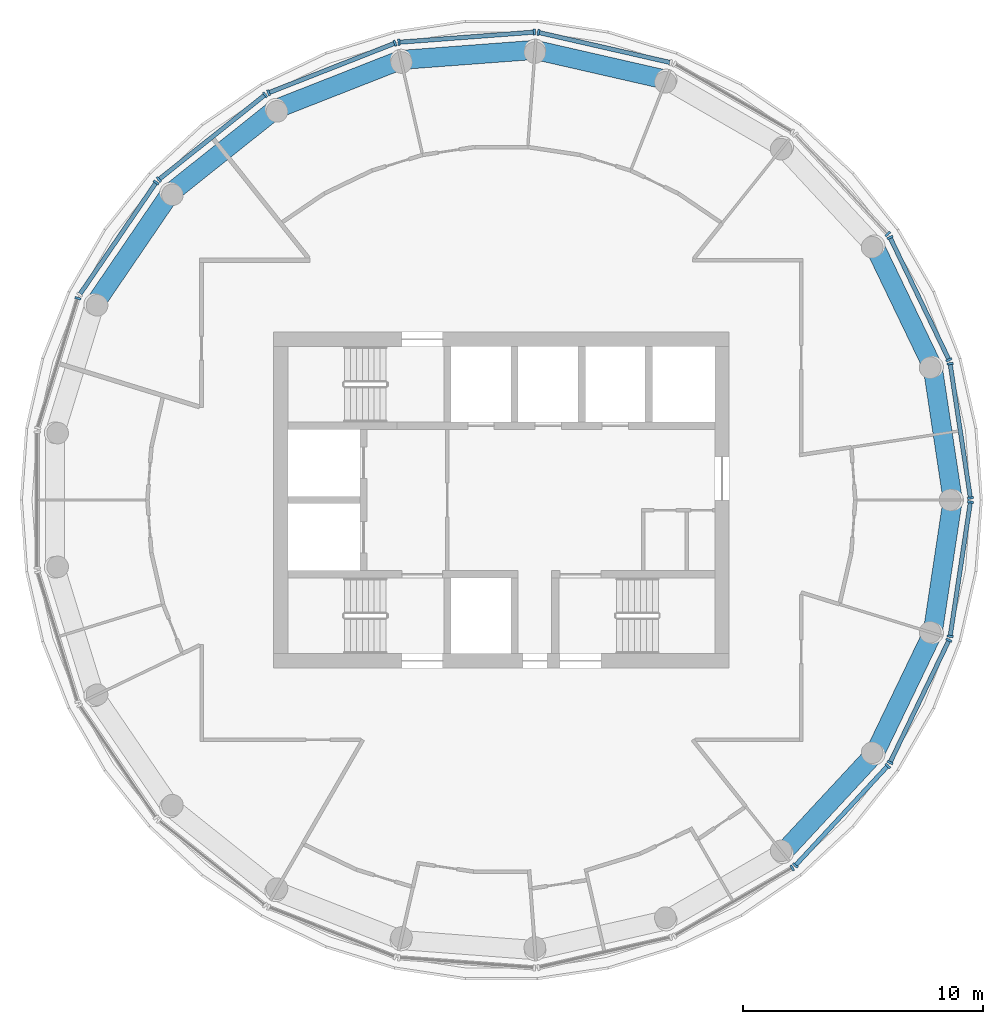
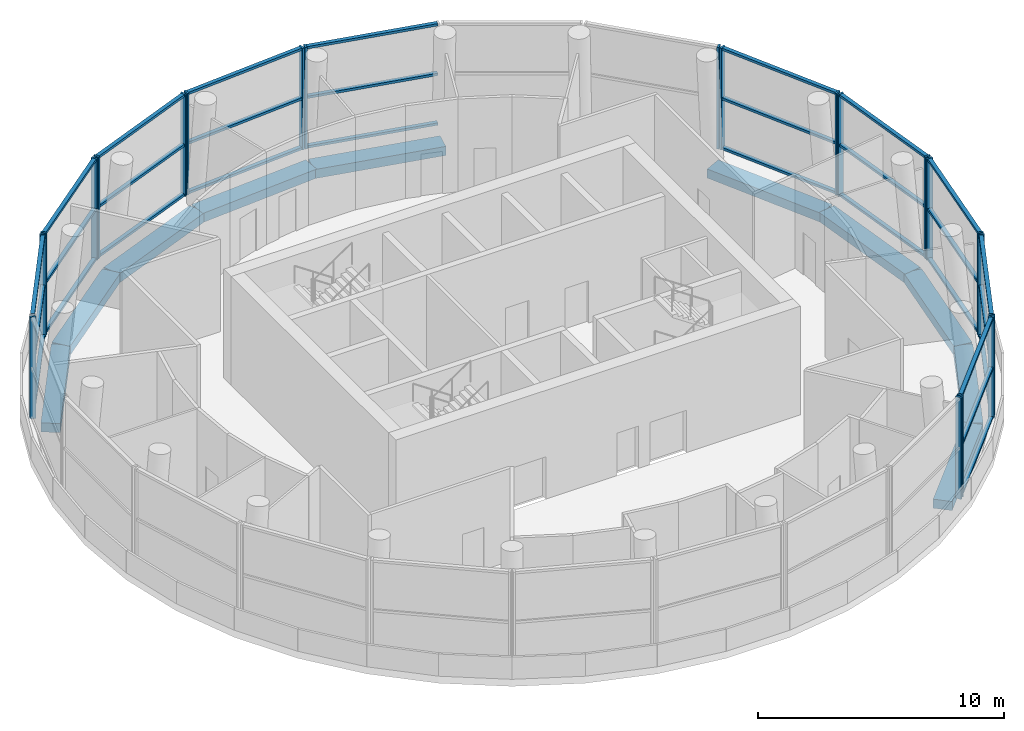
# One storey, part 2 of 11: 51 members, 10 beams, 13 elements without a shape of their own.
"""IFC4 building model written with IfcOpenShell, lengths in metres."""

from ifc_helpers import new_model, si_unit, direction, frame, origin, origin_2d, place, context, subcontext, project, spatial, rectangle, extrude, material, material_profile, profile_set, type_object, element, aggregate, save


model = new_model("IFC4")

# Units and contexts
model_context = context("Model", 3, precision=1e-05, world=origin(), true_north=direction((0.0, 1.0)))
body_context = subcontext(model_context, "Body", "Model", "MODEL_VIEW")
ifc_project = project(units=[si_unit("LENGTHUNIT", "METRE"), si_unit("AREAUNIT", "SQUARE_METRE"), si_unit("VOLUMEUNIT", "CUBIC_METRE"), si_unit("PLANEANGLEUNIT", "RADIAN"), si_unit("MASSUNIT", "GRAM", prefix="KILO")], contexts=[model_context])

# Site, building, storey
site_placement = place(None, origin())
site = spatial("IfcSite", under=ifc_project, at=site_placement, CompositionType="ELEMENT")
building_placement = place(site_placement, origin())
building = spatial("IfcBuilding", under=site, at=building_placement, Name="Tracery Tower", CompositionType="ELEMENT")
storey_placement = place(building_placement, frame((0.0, 0.0, 330.60009765625)))
storey = spatial("IfcBuildingStorey", under=building, at=storey_placement, Name="L86", CompositionType="ELEMENT", Elevation=330.60009765625)

# Curtain wall, members
ifc_material_1 = material(Name="Aluminium curtain wall with tinted glass", Category="aluminium")
curtain_wall_type = type_object("IfcCurtainWallType", Name="Glazed crown lower curtain wall", PredefinedType="NOTDEFINED", material=ifc_material_1)
curtain_wall_1_placement = place(storey_placement, origin())
curtain_wall_1 = element("IfcCurtainWall", 1, at=curtain_wall_1_placement, inside=storey, type_object=curtain_wall_type, Name="Glazed crown lower run 00", PredefinedType="NOTDEFINED")
ifc_material_2 = material(Name="Aluminium, bronze anodised", Category="aluminium")
ifc_material_profile_1 = material_profile(ifc_material_2, rectangle(XDim=0.260009765625, YDim=0.090087890625, at=origin_2d()), Name="Glazed crown lower mullion 90 x 260")
ifc_profile_set_1 = profile_set([ifc_material_profile_1], Name="Aluminium, bronze anodised")
member_type_1 = type_object("IfcMemberType", Name="Glazed crown lower mullion 90 x 260", PredefinedType="MULLION", material=ifc_profile_set_1)
member_1_placement = place(storey_placement, frame((19.5595703125, 0.083984375, 0.0), z_axis=(0.0, 0.0, 1.0), x_axis=(-0.988831195935, -0.14903981329, 0.0)))
member_1 = element("IfcMember", 2, at=member_1_placement, type_object=member_type_1, Name="CWB2 mullion 1", PredefinedType="MULLION", context=body_context, shape_type="SweptSolid", body=[
    extrude(rectangle(XDim=0.260009765625, YDim=0.090087890625, at=origin_2d()), origin(), (0.0, 0.0, 1.0), 5.0498046875),
])
member_2_placement = place(storey_placement, frame((18.71533203125, 5.68505859375, 0.0), z_axis=(0.0, 0.0, 1.0), x_axis=(-0.988831195935, -0.14903981329, 0.0)))
member_2 = element("IfcMember", 3, at=member_2_placement, type_object=member_type_1, Name="CWB2 mullion 2", PredefinedType="MULLION", context=body_context, shape_type="SweptSolid", body=[
    extrude(rectangle(XDim=0.260009765625, YDim=0.090087890625, at=origin_2d()), origin(), (0.0, 0.0, 1.0), 5.0498046875),
])

curtain_wall_2_placement = place(storey_placement, origin())
curtain_wall_2 = element("IfcCurtainWall", 4, at=curtain_wall_2_placement, inside=storey, type_object=curtain_wall_type, Name="Glazed crown lower run 01", PredefinedType="NOTDEFINED")
member_3_placement = place(storey_placement, frame((18.665771484375, 5.845458984375, 0.0), z_axis=(0.0, 0.0, 1.0), x_axis=(-0.900973993833, -0.433873094853, 0.0)))
member_3 = element("IfcMember", 5, at=member_3_placement, type_object=member_type_1, Name="CWB2 mullion 1", PredefinedType="MULLION", context=body_context, shape_type="SweptSolid", body=[
    extrude(rectangle(XDim=0.260009765625, YDim=0.090087890625, at=origin_2d()), origin(), (0.0, 0.0, 1.0), 5.0498046875),
])
member_4_placement = place(storey_placement, frame((16.208251953125, 10.948974609375, 0.0), z_axis=(0.0, 0.0, 1.0), x_axis=(-0.900973993833, -0.433873094853, 0.0)))
member_4 = element("IfcMember", 6, at=member_4_placement, type_object=member_type_1, Name="CWB2 mullion 2", PredefinedType="MULLION", context=body_context, shape_type="SweptSolid", body=[
    extrude(rectangle(XDim=0.260009765625, YDim=0.090087890625, at=origin_2d()), origin(), (0.0, 0.0, 1.0), 5.0498046875),
])

# Curtain wall, member
curtain_wall_3_placement = place(storey_placement, origin())
curtain_wall_3 = element("IfcCurtainWall", 7, at=curtain_wall_3_placement, inside=storey, type_object=curtain_wall_type, Name="Glazed crown lower run 02", PredefinedType="NOTDEFINED")
member_5_placement = place(storey_placement, frame((16.113525390625, 11.087646484375, 0.0), z_axis=(0.0, 0.0, 1.0), x_axis=(-0.733054024264, -0.680170417991, 0.0)))
member_5 = element("IfcMember", 8, at=member_5_placement, type_object=member_type_1, Name="CWB2 mullion 1", PredefinedType="MULLION", context=body_context, shape_type="SweptSolid", body=[
    extrude(rectangle(XDim=0.260009765625, YDim=0.090087890625, at=origin_2d()), origin(), (0.0, 0.0, 1.0), 5.0498046875),
])
aggregate(curtain_wall_3, [member_5])

curtain_wall_4_placement = place(storey_placement, origin())
curtain_wall_4 = element("IfcCurtainWall", 9, at=curtain_wall_4_placement, inside=storey, type_object=curtain_wall_type, Name="Glazed crown lower run 04", PredefinedType="NOTDEFINED")
member_6_placement = place(storey_placement, frame((1.54541015625, 19.49853515625, 0.0), z_axis=(0.0, 0.0, 1.0), x_axis=(-0.22253364184, -0.974925011603, 0.0)))
member_6 = element("IfcMember", 10, at=member_6_placement, type_object=member_type_1, Name="CWB2 mullion 2", PredefinedType="MULLION", context=body_context, shape_type="SweptSolid", body=[
    extrude(rectangle(XDim=0.260009765625, YDim=0.090087890625, at=origin_2d()), origin(), (0.0, 0.0, 1.0), 5.0498046875),
])

# Curtain wall, members
curtain_wall_5_placement = place(storey_placement, origin())
curtain_wall_5 = element("IfcCurtainWall", 11, at=curtain_wall_5_placement, inside=storey, type_object=curtain_wall_type, Name="Glazed crown lower run 05", PredefinedType="NOTDEFINED")
member_7_placement = place(storey_placement, frame((1.3779296875, 19.51123046875, 0.0), z_axis=(0.0, 0.0, 1.0), x_axis=(0.074729462035, -0.997203844509, 0.0)))
member_7 = element("IfcMember", 12, at=member_7_placement, type_object=member_type_1, Name="CWB2 mullion 1", PredefinedType="MULLION", context=body_context, shape_type="SweptSolid", body=[
    extrude(rectangle(XDim=0.260009765625, YDim=0.090087890625, at=origin_2d()), origin(), (0.0, 0.0, 1.0), 5.0498046875),
])
member_8_placement = place(storey_placement, frame((-4.2705078125, 19.087890625, 0.0), z_axis=(0.0, 0.0, 1.0), x_axis=(0.074729462035, -0.997203844509, 0.0)))
member_8 = element("IfcMember", 13, at=member_8_placement, type_object=member_type_1, Name="CWB2 mullion 2", PredefinedType="MULLION", context=body_context, shape_type="SweptSolid", body=[
    extrude(rectangle(XDim=0.260009765625, YDim=0.090087890625, at=origin_2d()), origin(), (0.0, 0.0, 1.0), 5.0498046875),
])

curtain_wall_6_placement = place(storey_placement, origin())
curtain_wall_6 = element("IfcCurtainWall", 14, at=curtain_wall_6_placement, inside=storey, type_object=curtain_wall_type, Name="Glazed crown lower run 06", PredefinedType="NOTDEFINED")
member_9_placement = place(storey_placement, frame((-4.434326171875, 19.050537109375, 0.0), z_axis=(0.0, 0.0, 1.0), x_axis=(0.365351251459, -0.930869734741, 0.0)))
member_9 = element("IfcMember", 15, at=member_9_placement, type_object=member_type_1, Name="CWB2 mullion 1", PredefinedType="MULLION", context=body_context, shape_type="SweptSolid", body=[
    extrude(rectangle(XDim=0.260009765625, YDim=0.090087890625, at=origin_2d()), origin(), (0.0, 0.0, 1.0), 5.0498046875),
])
member_10_placement = place(storey_placement, frame((-9.70703125, 16.98095703125, 0.0), z_axis=(0.0, 0.0, 1.0), x_axis=(0.365351251459, -0.930869734741, 0.0)))
member_10 = element("IfcMember", 16, at=member_10_placement, type_object=member_type_1, Name="CWB2 mullion 2", PredefinedType="MULLION", context=body_context, shape_type="SweptSolid", body=[
    extrude(rectangle(XDim=0.260009765625, YDim=0.090087890625, at=origin_2d()), origin(), (0.0, 0.0, 1.0), 5.0498046875),
])

curtain_wall_7_placement = place(storey_placement, origin())
curtain_wall_7 = element("IfcCurtainWall", 17, at=curtain_wall_7_placement, inside=storey, type_object=curtain_wall_type, Name="Glazed crown lower run 07", PredefinedType="NOTDEFINED")
member_11_placement = place(storey_placement, frame((-9.8525390625, 16.89697265625, 0.0), z_axis=(0.0, 0.0, 1.0), x_axis=(0.623492640079, -0.781829219055, 0.0)))
member_11 = element("IfcMember", 18, at=member_11_placement, type_object=member_type_1, Name="CWB2 mullion 1", PredefinedType="MULLION", context=body_context, shape_type="SweptSolid", body=[
    extrude(rectangle(XDim=0.260009765625, YDim=0.090087890625, at=origin_2d()), origin(), (0.0, 0.0, 1.0), 5.0498046875),
])
member_12_placement = place(storey_placement, frame((-14.281005859375, 13.365478515625, 0.0), z_axis=(0.0, 0.0, 1.0), x_axis=(0.623492640079, -0.781829219055, 0.0)))
member_12 = element("IfcMember", 19, at=member_12_placement, type_object=member_type_1, Name="CWB2 mullion 2", PredefinedType="MULLION", context=body_context, shape_type="SweptSolid", body=[
    extrude(rectangle(XDim=0.260009765625, YDim=0.090087890625, at=origin_2d()), origin(), (0.0, 0.0, 1.0), 5.0498046875),
])

# Curtain wall, member
curtain_wall_8_placement = place(storey_placement, origin())
curtain_wall_8 = element("IfcCurtainWall", 20, at=curtain_wall_8_placement, inside=storey, type_object=curtain_wall_type, Name="Glazed crown lower run 08", PredefinedType="NOTDEFINED")
member_13_placement = place(storey_placement, frame((-14.395263671875, 13.2421875, 0.0), z_axis=(0.0, 0.0, 1.0), x_axis=(0.826240946572, -0.563316871936, 0.0)))
member_13 = element("IfcMember", 21, at=member_13_placement, type_object=member_type_1, Name="CWB2 mullion 1", PredefinedType="MULLION", context=body_context, shape_type="SweptSolid", body=[
    extrude(rectangle(XDim=0.260009765625, YDim=0.090087890625, at=origin_2d()), origin(), (0.0, 0.0, 1.0), 5.0498046875),
])

curtain_wall_9_placement = place(storey_placement, origin())
curtain_wall_9 = element("IfcCurtainWall", 22, at=curtain_wall_9_placement, inside=storey, type_object=curtain_wall_type, Name="Glazed crown lower run 09", PredefinedType="NOTDEFINED")
member_14_placement = place(storey_placement, frame((-17.658935546875, 8.410888671875, 0.0), z_axis=(0.0, 0.0, 1.0), x_axis=(0.955570976561, -0.294761104549, 0.0)))
member_14 = element("IfcMember", 23, at=member_14_placement, type_object=member_type_1, Name="CWB2 mullion 1", PredefinedType="MULLION", context=body_context, shape_type="SweptSolid", body=[
    extrude(rectangle(XDim=0.260009765625, YDim=0.090087890625, at=origin_2d()), origin(), (0.0, 0.0, 1.0), 5.0498046875),
])
aggregate(curtain_wall_9, [member_14])

curtain_wall_10_placement = place(storey_placement, origin())
curtain_wall_10 = element("IfcCurtainWall", 24, at=curtain_wall_10_placement, inside=storey, type_object=curtain_wall_type, Name="Glazed crown lower run 17", PredefinedType="NOTDEFINED")
member_15_placement = place(storey_placement, frame((12.12939453125, -15.3447265625, 0.0), z_axis=(0.0, 0.0, 1.0), x_axis=(-0.499993240242, 0.866029306498, 0.0)))
member_15 = element("IfcMember", 25, at=member_15_placement, type_object=member_type_1, Name="CWB2 mullion 2", PredefinedType="MULLION", context=body_context, shape_type="SweptSolid", body=[
    extrude(rectangle(XDim=0.260009765625, YDim=0.090087890625, at=origin_2d()), origin(), (0.0, 0.0, 1.0), 5.0498046875),
])
aggregate(curtain_wall_10, [member_15])

# Curtain wall, members
curtain_wall_11_placement = place(storey_placement, origin())
curtain_wall_11 = element("IfcCurtainWall", 26, at=curtain_wall_11_placement, inside=storey, type_object=curtain_wall_type, Name="Glazed crown lower run 18", PredefinedType="NOTDEFINED")
member_16_placement = place(storey_placement, frame((12.260986328125, -15.23974609375, 0.0), z_axis=(0.0, 0.0, 1.0), x_axis=(-0.733054024264, 0.680170417991, 0.0)))
member_16 = element("IfcMember", 27, at=member_16_placement, type_object=member_type_1, Name="CWB2 mullion 1", PredefinedType="MULLION", context=body_context, shape_type="SweptSolid", body=[
    extrude(rectangle(XDim=0.260009765625, YDim=0.090087890625, at=origin_2d()), origin(), (0.0, 0.0, 1.0), 5.0498046875),
])
member_17_placement = place(storey_placement, frame((16.113525390625, -11.087646484375, 0.0), z_axis=(0.0, 0.0, 1.0), x_axis=(-0.733054024264, 0.680170417991, 0.0)))
member_17 = element("IfcMember", 28, at=member_17_placement, type_object=member_type_1, Name="CWB2 mullion 2", PredefinedType="MULLION", context=body_context, shape_type="SweptSolid", body=[
    extrude(rectangle(XDim=0.260009765625, YDim=0.090087890625, at=origin_2d()), origin(), (0.0, 0.0, 1.0), 5.0498046875),
])

curtain_wall_12_placement = place(storey_placement, origin())
curtain_wall_12 = element("IfcCurtainWall", 29, at=curtain_wall_12_placement, inside=storey, type_object=curtain_wall_type, Name="Glazed crown lower run 19", PredefinedType="NOTDEFINED")
member_18_placement = place(storey_placement, frame((16.208251953125, -10.948974609375, 0.0), z_axis=(0.0, 0.0, 1.0), x_axis=(-0.900973993833, 0.433873094853, 0.0)))
member_18 = element("IfcMember", 30, at=member_18_placement, type_object=member_type_1, Name="CWB2 mullion 1", PredefinedType="MULLION", context=body_context, shape_type="SweptSolid", body=[
    extrude(rectangle(XDim=0.260009765625, YDim=0.090087890625, at=origin_2d()), origin(), (0.0, 0.0, 1.0), 5.0498046875),
])
member_19_placement = place(storey_placement, frame((18.665771484375, -5.845458984375, 0.0), z_axis=(0.0, 0.0, 1.0), x_axis=(-0.900973993833, 0.433873094853, 0.0)))
member_19 = element("IfcMember", 31, at=member_19_placement, type_object=member_type_1, Name="CWB2 mullion 2", PredefinedType="MULLION", context=body_context, shape_type="SweptSolid", body=[
    extrude(rectangle(XDim=0.260009765625, YDim=0.090087890625, at=origin_2d()), origin(), (0.0, 0.0, 1.0), 5.0498046875),
])

curtain_wall_13_placement = place(storey_placement, origin())
curtain_wall_13 = element("IfcCurtainWall", 32, at=curtain_wall_13_placement, inside=storey, type_object=curtain_wall_type, Name="Glazed crown lower run 20", PredefinedType="NOTDEFINED")
member_20_placement = place(storey_placement, frame((18.71533203125, -5.68505859375, 0.0), z_axis=(0.0, 0.0, 1.0), x_axis=(-0.988831195935, 0.14903981329, 0.0)))
member_20 = element("IfcMember", 33, at=member_20_placement, type_object=member_type_1, Name="CWB2 mullion 1", PredefinedType="MULLION", context=body_context, shape_type="SweptSolid", body=[
    extrude(rectangle(XDim=0.260009765625, YDim=0.090087890625, at=origin_2d()), origin(), (0.0, 0.0, 1.0), 5.0498046875),
])
member_21_placement = place(storey_placement, frame((19.5595703125, -0.083984375, 0.0), z_axis=(0.0, 0.0, 1.0), x_axis=(-0.988831195935, 0.14903981329, 0.0)))
member_21 = element("IfcMember", 34, at=member_21_placement, type_object=member_type_1, Name="CWB2 mullion 2", PredefinedType="MULLION", context=body_context, shape_type="SweptSolid", body=[
    extrude(rectangle(XDim=0.260009765625, YDim=0.090087890625, at=origin_2d()), origin(), (0.0, 0.0, 1.0), 5.0498046875),
])

# Member
ifc_material_3 = material(Name="Aluminium, bronze anodised", Category="aluminium")
ifc_material_profile_2 = material_profile(ifc_material_3, rectangle(XDim=0.179931640625, YDim=0.1201171875, at=origin_2d()), Name="Glazed crown lower transom 120 x 180")
ifc_profile_set_2 = profile_set([ifc_material_profile_2], Name="Aluminium, bronze anodised")
member_type_2 = type_object("IfcMemberType", Name="Glazed crown lower transom 120 x 180", PredefinedType="USERDEFINED", material=ifc_profile_set_2)
member_22_placement = place(storey_placement, frame((19.552734375, 0.128662109375, 0.059814453125), z_axis=(-0.149045040468, 0.988830408064, 0.0), x_axis=(-0.988830408064, -0.149045040468, 0.0)))
member_22 = element("IfcMember", 35, at=member_22_placement, type_object=member_type_2, Name="CWB2 transom 1.1", ObjectType="TRANSOM", PredefinedType="USERDEFINED", context=body_context, shape_type="SweptSolid", body=[
    extrude(rectangle(XDim=0.179931640625, YDim=0.1201171875, at=origin_2d()), origin(), (0.0, 0.0, 1.0), 5.57421875),
])

member_23_placement = place(storey_placement, frame((19.552734375, 0.128662109375, 2.52490234375), z_axis=(-0.149045040468, 0.988830408064, 0.0), x_axis=(-0.988830408064, -0.149045040468, 0.0)))
member_23 = element("IfcMember", 36, at=member_23_placement, type_object=member_type_2, Name="CWB2 transom 1.2", ObjectType="TRANSOM", PredefinedType="USERDEFINED", context=body_context, shape_type="SweptSolid", body=[
    extrude(rectangle(XDim=0.179931640625, YDim=0.1201171875, at=origin_2d()), origin(), (0.0, 0.0, 1.0), 5.57421875),
])

member_24_placement = place(storey_placement, frame((19.552734375, 0.128662109375, 4.989990234375), z_axis=(-0.149045040468, 0.988830408064, 0.0), x_axis=(-0.988830408064, -0.149045040468, 0.0)))
member_24 = element("IfcMember", 37, at=member_24_placement, type_object=member_type_2, Name="CWB2 transom 1.3", ObjectType="TRANSOM", PredefinedType="USERDEFINED", context=body_context, shape_type="SweptSolid", body=[
    extrude(rectangle(XDim=0.179931640625, YDim=0.1201171875, at=origin_2d()), origin(), (0.0, 0.0, 1.0), 5.57421875),
])

aggregate(curtain_wall_1, [member_1, member_2, member_22, member_23, member_24])

member_25_placement = place(storey_placement, frame((18.646240234375, 5.885986328125, 0.059814453125), z_axis=(-0.433866976329, 0.900976940244, 0.0), x_axis=(-0.900976940244, -0.433866976329, 0.0)))
member_25 = element("IfcMember", 38, at=member_25_placement, type_object=member_type_2, Name="CWB2 transom 1.1", ObjectType="TRANSOM", PredefinedType="USERDEFINED", context=body_context, shape_type="SweptSolid", body=[
    extrude(rectangle(XDim=0.179931640625, YDim=0.1201171875, at=origin_2d()), origin(), (0.0, 0.0, 1.0), 5.57421875),
])

member_26_placement = place(storey_placement, frame((18.646240234375, 5.885986328125, 2.52490234375), z_axis=(-0.433866976329, 0.900976940244, 0.0), x_axis=(-0.900976940244, -0.433866976329, 0.0)))
member_26 = element("IfcMember", 39, at=member_26_placement, type_object=member_type_2, Name="CWB2 transom 1.2", ObjectType="TRANSOM", PredefinedType="USERDEFINED", context=body_context, shape_type="SweptSolid", body=[
    extrude(rectangle(XDim=0.179931640625, YDim=0.1201171875, at=origin_2d()), origin(), (0.0, 0.0, 1.0), 5.57421875),
])

member_27_placement = place(storey_placement, frame((18.646240234375, 5.885986328125, 4.989990234375), z_axis=(-0.433866976329, 0.900976940244, 0.0), x_axis=(-0.900976940244, -0.433866976329, 0.0)))
member_27 = element("IfcMember", 40, at=member_27_placement, type_object=member_type_2, Name="CWB2 transom 1.3", ObjectType="TRANSOM", PredefinedType="USERDEFINED", context=body_context, shape_type="SweptSolid", body=[
    extrude(rectangle(XDim=0.179931640625, YDim=0.1201171875, at=origin_2d()), origin(), (0.0, 0.0, 1.0), 5.57421875),
])

aggregate(curtain_wall_2, [member_3, member_4, member_25, member_26, member_27])

member_28_placement = place(storey_placement, frame((7.023681640625, 18.248046875, 0.059814453125), z_axis=(-0.974922890174, 0.222542935665, 0.0), x_axis=(-0.222542935665, -0.974922890174, 0.0)))
member_28 = element("IfcMember", 41, at=member_28_placement, type_object=member_type_2, Name="CWB2 transom 1.1", ObjectType="TRANSOM", PredefinedType="USERDEFINED", context=body_context, shape_type="SweptSolid", body=[
    extrude(rectangle(XDim=0.179931640625, YDim=0.1201171875, at=origin_2d()), origin(), (0.0, 0.0, 1.0), 5.57421875),
])

member_29_placement = place(storey_placement, frame((7.023681640625, 18.248046875, 2.52490234375), z_axis=(-0.974922890174, 0.222542935665, 0.0), x_axis=(-0.222542935665, -0.974922890174, 0.0)))
member_29 = element("IfcMember", 42, at=member_29_placement, type_object=member_type_2, Name="CWB2 transom 1.2", ObjectType="TRANSOM", PredefinedType="USERDEFINED", context=body_context, shape_type="SweptSolid", body=[
    extrude(rectangle(XDim=0.179931640625, YDim=0.1201171875, at=origin_2d()), origin(), (0.0, 0.0, 1.0), 5.57421875),
])

member_30_placement = place(storey_placement, frame((7.023681640625, 18.248046875, 4.989990234375), z_axis=(-0.974922890174, 0.222542935665, 0.0), x_axis=(-0.222542935665, -0.974922890174, 0.0)))
member_30 = element("IfcMember", 43, at=member_30_placement, type_object=member_type_2, Name="CWB2 transom 1.3", ObjectType="TRANSOM", PredefinedType="USERDEFINED", context=body_context, shape_type="SweptSolid", body=[
    extrude(rectangle(XDim=0.179931640625, YDim=0.1201171875, at=origin_2d()), origin(), (0.0, 0.0, 1.0), 5.57421875),
])

aggregate(curtain_wall_4, [member_6, member_28, member_29, member_30])

member_31_placement = place(storey_placement, frame((1.3330078125, 19.5078125, 0.059814453125), z_axis=(-0.997204533876, -0.074720262421, 0.0), x_axis=(0.074720262421, -0.997204533876, 0.0)))
member_31 = element("IfcMember", 44, at=member_31_placement, type_object=member_type_2, Name="CWB2 transom 1.1", ObjectType="TRANSOM", PredefinedType="USERDEFINED", context=body_context, shape_type="SweptSolid", body=[
    extrude(rectangle(XDim=0.179931640625, YDim=0.1201171875, at=origin_2d()), origin(), (0.0, 0.0, 1.0), 5.57421875),
])

member_32_placement = place(storey_placement, frame((1.3330078125, 19.5078125, 2.52490234375), z_axis=(-0.997204533876, -0.074720262421, 0.0), x_axis=(0.074720262421, -0.997204533876, 0.0)))
member_32 = element("IfcMember", 45, at=member_32_placement, type_object=member_type_2, Name="CWB2 transom 1.2", ObjectType="TRANSOM", PredefinedType="USERDEFINED", context=body_context, shape_type="SweptSolid", body=[
    extrude(rectangle(XDim=0.179931640625, YDim=0.1201171875, at=origin_2d()), origin(), (0.0, 0.0, 1.0), 5.57421875),
])

member_33_placement = place(storey_placement, frame((1.3330078125, 19.5078125, 4.989990234375), z_axis=(-0.997204533876, -0.074720262421, 0.0), x_axis=(0.074720262421, -0.997204533876, 0.0)))
member_33 = element("IfcMember", 46, at=member_33_placement, type_object=member_type_2, Name="CWB2 transom 1.3", ObjectType="TRANSOM", PredefinedType="USERDEFINED", context=body_context, shape_type="SweptSolid", body=[
    extrude(rectangle(XDim=0.179931640625, YDim=0.1201171875, at=origin_2d()), origin(), (0.0, 0.0, 1.0), 5.57421875),
])

aggregate(curtain_wall_5, [member_7, member_8, member_31, member_32, member_33])

member_34_placement = place(storey_placement, frame((-4.476318359375, 19.033935546875, 0.059814453125), z_axis=(-0.930876546596, -0.365333895222, 0.0), x_axis=(0.365333895222, -0.930876546596, 0.0)))
member_34 = element("IfcMember", 47, at=member_34_placement, type_object=member_type_2, Name="CWB2 transom 1.1", ObjectType="TRANSOM", PredefinedType="USERDEFINED", context=body_context, shape_type="SweptSolid", body=[
    extrude(rectangle(XDim=0.179931640625, YDim=0.1201171875, at=origin_2d()), origin(), (0.0, 0.0, 1.0), 5.573974609375),
])

member_35_placement = place(storey_placement, frame((-4.476318359375, 19.033935546875, 2.52490234375), z_axis=(-0.930876546596, -0.365333895222, 0.0), x_axis=(0.365333895222, -0.930876546596, 0.0)))
member_35 = element("IfcMember", 48, at=member_35_placement, type_object=member_type_2, Name="CWB2 transom 1.2", ObjectType="TRANSOM", PredefinedType="USERDEFINED", context=body_context, shape_type="SweptSolid", body=[
    extrude(rectangle(XDim=0.179931640625, YDim=0.1201171875, at=origin_2d()), origin(), (0.0, 0.0, 1.0), 5.573974609375),
])

member_36_placement = place(storey_placement, frame((-4.476318359375, 19.033935546875, 4.989990234375), z_axis=(-0.930876546596, -0.365333895222, 0.0), x_axis=(0.365333895222, -0.930876546596, 0.0)))
member_36 = element("IfcMember", 49, at=member_36_placement, type_object=member_type_2, Name="CWB2 transom 1.3", ObjectType="TRANSOM", PredefinedType="USERDEFINED", context=body_context, shape_type="SweptSolid", body=[
    extrude(rectangle(XDim=0.179931640625, YDim=0.1201171875, at=origin_2d()), origin(), (0.0, 0.0, 1.0), 5.573974609375),
])

aggregate(curtain_wall_6, [member_9, member_10, member_34, member_35, member_36])

member_37_placement = place(storey_placement, frame((-9.8876953125, 16.868896484375, 0.059814453125), z_axis=(-0.781846373242, -0.623471128962, 0.0), x_axis=(0.623471128962, -0.781846373242, 0.0)))
member_37 = element("IfcMember", 50, at=member_37_placement, type_object=member_type_2, Name="CWB2 transom 1.1", ObjectType="TRANSOM", PredefinedType="USERDEFINED", context=body_context, shape_type="SweptSolid", body=[
    extrude(rectangle(XDim=0.179931640625, YDim=0.1201171875, at=origin_2d()), origin(), (0.0, 0.0, 1.0), 5.57421875),
])

member_38_placement = place(storey_placement, frame((-9.8876953125, 16.868896484375, 2.52490234375), z_axis=(-0.781846373242, -0.623471128962, 0.0), x_axis=(0.623471128962, -0.781846373242, 0.0)))
member_38 = element("IfcMember", 51, at=member_38_placement, type_object=member_type_2, Name="CWB2 transom 1.2", ObjectType="TRANSOM", PredefinedType="USERDEFINED", context=body_context, shape_type="SweptSolid", body=[
    extrude(rectangle(XDim=0.179931640625, YDim=0.1201171875, at=origin_2d()), origin(), (0.0, 0.0, 1.0), 5.57421875),
])

member_39_placement = place(storey_placement, frame((-9.8876953125, 16.868896484375, 4.989990234375), z_axis=(-0.781846373242, -0.623471128962, 0.0), x_axis=(0.623471128962, -0.781846373242, 0.0)))
member_39 = element("IfcMember", 52, at=member_39_placement, type_object=member_type_2, Name="CWB2 transom 1.3", ObjectType="TRANSOM", PredefinedType="USERDEFINED", context=body_context, shape_type="SweptSolid", body=[
    extrude(rectangle(XDim=0.179931640625, YDim=0.1201171875, at=origin_2d()), origin(), (0.0, 0.0, 1.0), 5.57421875),
])

aggregate(curtain_wall_7, [member_11, member_12, member_37, member_38, member_39])

member_40_placement = place(storey_placement, frame((-14.420654296875, 13.205078125, 0.059814453125), z_axis=(-0.563321875374, -0.826237535292, 0.0), x_axis=(0.826237535292, -0.563321875374, 0.0)))
member_40 = element("IfcMember", 53, at=member_40_placement, type_object=member_type_2, Name="CWB2 transom 1.1", ObjectType="TRANSOM", PredefinedType="USERDEFINED", context=body_context, shape_type="SweptSolid", body=[
    extrude(rectangle(XDim=0.179931640625, YDim=0.1201171875, at=origin_2d()), origin(), (0.0, 0.0, 1.0), 5.57421875),
])

member_41_placement = place(storey_placement, frame((-14.420654296875, 13.205078125, 2.52490234375), z_axis=(-0.563321875374, -0.826237535292, 0.0), x_axis=(0.826237535292, -0.563321875374, 0.0)))
member_41 = element("IfcMember", 54, at=member_41_placement, type_object=member_type_2, Name="CWB2 transom 1.2", ObjectType="TRANSOM", PredefinedType="USERDEFINED", context=body_context, shape_type="SweptSolid", body=[
    extrude(rectangle(XDim=0.179931640625, YDim=0.1201171875, at=origin_2d()), origin(), (0.0, 0.0, 1.0), 5.57421875),
])

member_42_placement = place(storey_placement, frame((-14.420654296875, 13.205078125, 4.989990234375), z_axis=(-0.563321875374, -0.826237535292, 0.0), x_axis=(0.826237535292, -0.563321875374, 0.0)))
member_42 = element("IfcMember", 55, at=member_42_placement, type_object=member_type_2, Name="CWB2 transom 1.3", ObjectType="TRANSOM", PredefinedType="USERDEFINED", context=body_context, shape_type="SweptSolid", body=[
    extrude(rectangle(XDim=0.179931640625, YDim=0.1201171875, at=origin_2d()), origin(), (0.0, 0.0, 1.0), 5.57421875),
])

aggregate(curtain_wall_8, [member_13, member_40, member_41, member_42])

member_43_placement = place(storey_placement, frame((12.29150390625, -15.206787109375, 0.059814453125), z_axis=(0.680157050289, 0.733066427374, 0.0), x_axis=(-0.733066427374, 0.680157050289, 0.0)))
member_43 = element("IfcMember", 56, at=member_43_placement, type_object=member_type_2, Name="CWB2 transom 1.1", ObjectType="TRANSOM", PredefinedType="USERDEFINED", context=body_context, shape_type="SweptSolid", body=[
    extrude(rectangle(XDim=0.179931640625, YDim=0.1201171875, at=origin_2d()), origin(), (0.0, 0.0, 1.0), 5.573974609375),
])

member_44_placement = place(storey_placement, frame((12.29150390625, -15.206787109375, 2.52490234375), z_axis=(0.680157050289, 0.733066427374, 0.0), x_axis=(-0.733066427374, 0.680157050289, 0.0)))
member_44 = element("IfcMember", 57, at=member_44_placement, type_object=member_type_2, Name="CWB2 transom 1.2", ObjectType="TRANSOM", PredefinedType="USERDEFINED", context=body_context, shape_type="SweptSolid", body=[
    extrude(rectangle(XDim=0.179931640625, YDim=0.1201171875, at=origin_2d()), origin(), (0.0, 0.0, 1.0), 5.573974609375),
])

member_45_placement = place(storey_placement, frame((12.29150390625, -15.206787109375, 4.989990234375), z_axis=(0.680157050289, 0.733066427374, 0.0), x_axis=(-0.733066427374, 0.680157050289, 0.0)))
member_45 = element("IfcMember", 58, at=member_45_placement, type_object=member_type_2, Name="CWB2 transom 1.3", ObjectType="TRANSOM", PredefinedType="USERDEFINED", context=body_context, shape_type="SweptSolid", body=[
    extrude(rectangle(XDim=0.179931640625, YDim=0.1201171875, at=origin_2d()), origin(), (0.0, 0.0, 1.0), 5.573974609375),
])

aggregate(curtain_wall_11, [member_16, member_17, member_43, member_44, member_45])

member_46_placement = place(storey_placement, frame((16.227783203125, -10.908203125, 0.059814453125), z_axis=(0.433866976329, 0.900976940244, 0.0), x_axis=(-0.900976940244, 0.433866976329, 0.0)))
member_46 = element("IfcMember", 59, at=member_46_placement, type_object=member_type_2, Name="CWB2 transom 1.1", ObjectType="TRANSOM", PredefinedType="USERDEFINED", context=body_context, shape_type="SweptSolid", body=[
    extrude(rectangle(XDim=0.179931640625, YDim=0.1201171875, at=origin_2d()), origin(), (0.0, 0.0, 1.0), 5.57421875),
])

member_47_placement = place(storey_placement, frame((16.227783203125, -10.908203125, 2.52490234375), z_axis=(0.433866976329, 0.900976940244, 0.0), x_axis=(-0.900976940244, 0.433866976329, 0.0)))
member_47 = element("IfcMember", 60, at=member_47_placement, type_object=member_type_2, Name="CWB2 transom 1.2", ObjectType="TRANSOM", PredefinedType="USERDEFINED", context=body_context, shape_type="SweptSolid", body=[
    extrude(rectangle(XDim=0.179931640625, YDim=0.1201171875, at=origin_2d()), origin(), (0.0, 0.0, 1.0), 5.57421875),
])

member_48_placement = place(storey_placement, frame((16.227783203125, -10.908203125, 4.989990234375), z_axis=(0.433866976329, 0.900976940244, 0.0), x_axis=(-0.900976940244, 0.433866976329, 0.0)))
member_48 = element("IfcMember", 61, at=member_48_placement, type_object=member_type_2, Name="CWB2 transom 1.3", ObjectType="TRANSOM", PredefinedType="USERDEFINED", context=body_context, shape_type="SweptSolid", body=[
    extrude(rectangle(XDim=0.179931640625, YDim=0.1201171875, at=origin_2d()), origin(), (0.0, 0.0, 1.0), 5.57421875),
])

aggregate(curtain_wall_12, [member_18, member_19, member_46, member_47, member_48])

member_49_placement = place(storey_placement, frame((18.721923828125, -5.640625, 0.059814453125), z_axis=(0.149045040468, 0.988830408064, 0.0), x_axis=(-0.988830408064, 0.149045040468, 0.0)))
member_49 = element("IfcMember", 62, at=member_49_placement, type_object=member_type_2, Name="CWB2 transom 1.1", ObjectType="TRANSOM", PredefinedType="USERDEFINED", context=body_context, shape_type="SweptSolid", body=[
    extrude(rectangle(XDim=0.179931640625, YDim=0.1201171875, at=origin_2d()), origin(), (0.0, 0.0, 1.0), 5.57421875),
])

member_50_placement = place(storey_placement, frame((18.721923828125, -5.640625, 2.52490234375), z_axis=(0.149045040468, 0.988830408064, 0.0), x_axis=(-0.988830408064, 0.149045040468, 0.0)))
member_50 = element("IfcMember", 63, at=member_50_placement, type_object=member_type_2, Name="CWB2 transom 1.2", ObjectType="TRANSOM", PredefinedType="USERDEFINED", context=body_context, shape_type="SweptSolid", body=[
    extrude(rectangle(XDim=0.179931640625, YDim=0.1201171875, at=origin_2d()), origin(), (0.0, 0.0, 1.0), 5.57421875),
])

member_51_placement = place(storey_placement, frame((18.721923828125, -5.640625, 4.989990234375), z_axis=(0.149045040468, 0.988830408064, 0.0), x_axis=(-0.988830408064, 0.149045040468, 0.0)))
member_51 = element("IfcMember", 64, at=member_51_placement, type_object=member_type_2, Name="CWB2 transom 1.3", ObjectType="TRANSOM", PredefinedType="USERDEFINED", context=body_context, shape_type="SweptSolid", body=[
    extrude(rectangle(XDim=0.179931640625, YDim=0.1201171875, at=origin_2d()), origin(), (0.0, 0.0, 1.0), 5.57421875),
])

aggregate(curtain_wall_13, [member_20, member_21, member_49, member_50, member_51])

# Beams
ifc_material_4 = material(Name="Concrete C40/50", Category="concrete")
ifc_material_profile_3 = material_profile(ifc_material_4, rectangle(XDim=0.800048828125, YDim=0.449951171875, at=origin_2d()), Name="RC 800x450")
ifc_profile_set_3 = profile_set([ifc_material_profile_3], Name="Concrete C40/50")
beam_type = type_object("IfcBeamType", Name="Perimeter band beam 800x450", PredefinedType="BEAM", material=ifc_profile_set_3)
for number, where, z_axis, x_axis, name in (
    (65, (18.822265625, 0.0, -0.5751953125), (-0.149038355855, 0.988831415603, 0.0), (-0.988831415603, -0.149038355855, 0.0), "Perimeter beam 2.00 under L86"),
    (66, (17.986083984375, 5.5478515625, -0.5751953125), (-0.433918973155, 0.900951899235, 0.0), (-0.900951899235, -0.433918973155, 0.0), "Perimeter beam 2.01 under L86"),
    (67, (6.87646484375, 17.52099609375, -0.5751953125), (-0.974925977366, 0.222529410768, 0.0), (-0.222529410768, -0.974925977366, 0.0), "Perimeter beam 2.04 under L86"),
):
    element("IfcBeam", number, at=place(storey_placement, frame(where, z_axis=z_axis, x_axis=x_axis)), inside=storey, type_object=beam_type, Name=name, PredefinedType="BEAM", context=body_context, shape_type="SweptSolid", body=[
        extrude(rectangle(XDim=0.800048828125, YDim=0.449951171875, at=origin_2d()), origin(), (0.0, 0.0, 1.0), 5.610595703125),
    ])
beam_1_placement = place(storey_placement, frame((1.406494140625, 18.76953125, -0.5751953125), z_axis=(-0.997204824387, -0.07471638521, 0.0), x_axis=(0.07471638521, -0.997204824387, 0.0)))
element("IfcBeam", 68, at=beam_1_placement, inside=storey, type_object=beam_type, Name="Perimeter beam 2.05 under L86", PredefinedType="BEAM", context=body_context, shape_type="SweptSolid", body=[
    extrude(rectangle(XDim=0.800048828125, YDim=0.449951171875, at=origin_2d()), origin(), (0.0, 0.0, 1.0), 5.6103515625),
])
beam_2_placement = place(storey_placement, frame((-4.188232421875, 18.350341796875, -0.5751953125), z_axis=(-0.930875728468, -0.365335979817, 0.0), x_axis=(0.365335979817, -0.930875728468, 0.0)))
element("IfcBeam", 69, at=beam_2_placement, inside=storey, type_object=beam_type, Name="Perimeter beam 2.06 under L86", PredefinedType="BEAM", context=body_context, shape_type="SweptSolid", body=[
    extrude(rectangle(XDim=0.800048828125, YDim=0.449951171875, at=origin_2d()), origin(), (0.0, 0.0, 1.0), 5.61083984375),
])
beam_3_placement = place(storey_placement, frame((-9.4111328125, 16.300537109375, -0.5751953125), z_axis=(-0.781835817725, -0.623484365579, 0.0), x_axis=(0.623484365579, -0.781835817725, 0.0)))
element("IfcBeam", 70, at=beam_3_placement, inside=storey, type_object=beam_type, Name="Perimeter beam 2.07 under L86", PredefinedType="BEAM", context=body_context, shape_type="SweptSolid", body=[
    extrude(rectangle(XDim=0.800048828125, YDim=0.449951171875, at=origin_2d()), origin(), (0.0, 0.0, 1.0), 5.610595703125),
])
for number, where, z_axis, x_axis, name in (
    (71, (-13.797607421875, 12.802490234375, -0.5751953125), (-0.563305770578, -0.826248515178, 0.0), (0.826248515178, -0.563305770578, 0.0), "Perimeter beam 2.08 under L86"),
    (72, (11.7353515625, -14.7158203125, -0.5751953125), (0.680155630824, 0.733067744386, 0.0), (-0.733067744386, 0.680155630824, 0.0), "Perimeter beam 2.18 under L86"),
):
    element("IfcBeam", number, at=place(storey_placement, frame(where, z_axis=z_axis, x_axis=x_axis)), inside=storey, type_object=beam_type, Name=name, PredefinedType="BEAM", context=body_context, shape_type="SweptSolid", body=[
        extrude(rectangle(XDim=0.800048828125, YDim=0.449951171875, at=origin_2d()), origin(), (0.0, 0.0, 1.0), 5.61083984375),
    ])
for number, where, z_axis, x_axis, name in (
    (73, (15.551513671875, -10.602783203125, -0.5751953125), (0.433918973155, 0.900951899235, 0.0), (-0.900951899235, 0.433918973155, 0.0), "Perimeter beam 2.19 under L86"),
    (74, (17.986083984375, -5.5478515625, -0.5751953125), (0.149038355855, 0.988831415603, 0.0), (-0.988831415603, 0.149038355855, 0.0), "Perimeter beam 2.20 under L86"),
):
    element("IfcBeam", number, at=place(storey_placement, frame(where, z_axis=z_axis, x_axis=x_axis)), inside=storey, type_object=beam_type, Name=name, PredefinedType="BEAM", context=body_context, shape_type="SweptSolid", body=[
        extrude(rectangle(XDim=0.800048828125, YDim=0.449951171875, at=origin_2d()), origin(), (0.0, 0.0, 1.0), 5.610595703125),
    ])

save(model, "model.ifc")
